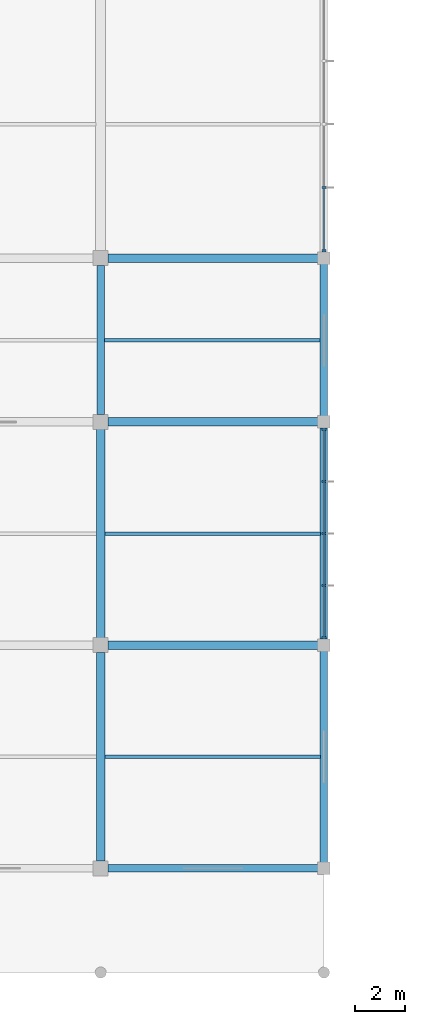
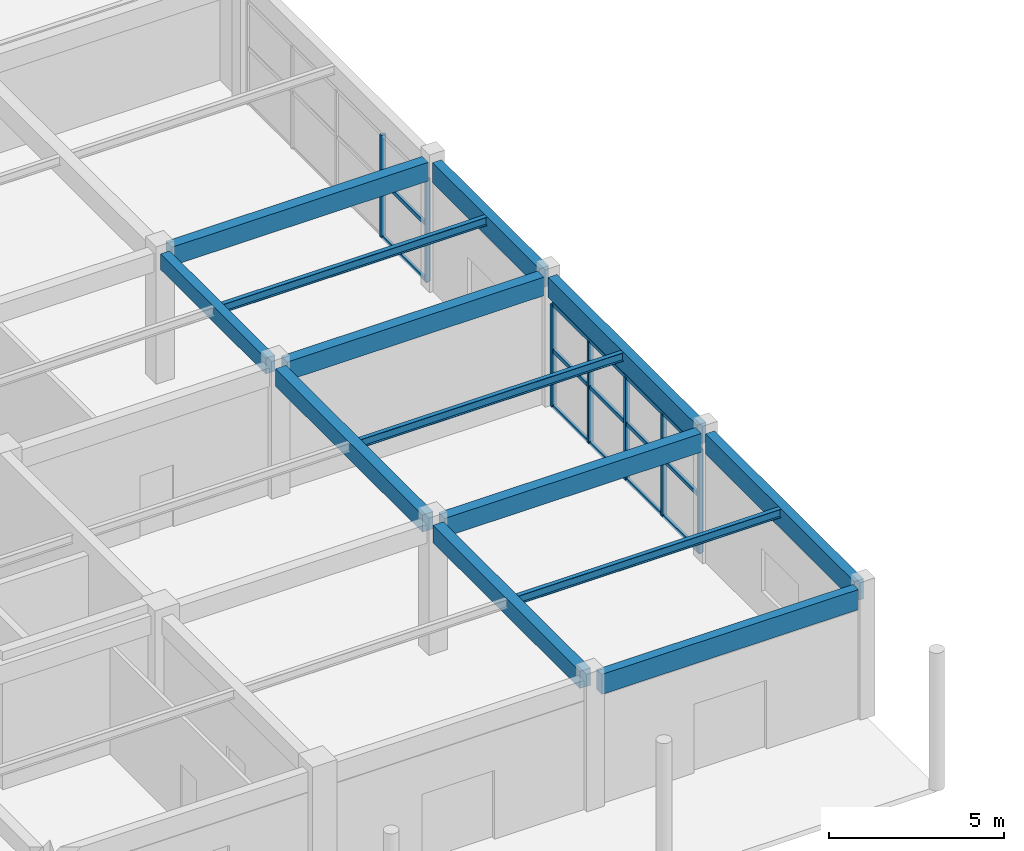
# One storey, part 17 of 82: 18 members, 13 beams, 2 elements without a shape of their own.
"""IFC4 building model written with IfcOpenShell, lengths in metres."""

from ifc_helpers import new_model, si_unit, direction, frame, origin, origin_2d, place, context, subcontext, project, spatial, rectangle, i_section, extrude, material, material_profile, profile_set, type_object, element, aggregate, save


model = new_model("IFC4")

# Units and contexts
model_context = context("Model", 3, precision=1e-05, world=origin(), true_north=direction((0.0, 1.0)))
body_context = subcontext(model_context, "Body", "Model", "MODEL_VIEW")
ifc_project = project(units=[si_unit("LENGTHUNIT", "METRE"), si_unit("AREAUNIT", "SQUARE_METRE"), si_unit("VOLUMEUNIT", "CUBIC_METRE"), si_unit("PLANEANGLEUNIT", "RADIAN"), si_unit("MASSUNIT", "GRAM", prefix="KILO")], contexts=[model_context])

# Site, building, storey
site_placement = place(None, origin())
site = spatial("IfcSite", under=ifc_project, at=site_placement, CompositionType="ELEMENT")
building_placement = place(site_placement, origin())
building = spatial("IfcBuilding", under=site, at=building_placement, Name="Suirenkawa Promenade Aquatics Centre", CompositionType="ELEMENT")
storey_placement = place(building_placement, origin())
storey = spatial("IfcBuildingStorey", under=building, at=storey_placement, Name="L00", CompositionType="ELEMENT", Elevation=0.0)

# Beams
ifc_material_1 = material(Name="Steel IS 2062 E350 (Grade 350)", Category="steel")
ifc_material_profile_1 = material_profile(ifc_material_1, i_section(OverallWidth=0.139892578125, OverallDepth=0.300048828125, WebThickness=0.008056640625, FlangeThickness=0.012939453125, at=origin_2d()), Name="ISMB 300", Category="steel")
ifc_profile_set_1 = profile_set([ifc_material_profile_1], Name="Steel IS 2062 E350 (Grade 350)")
beam_type_1 = type_object("IfcBeamType", Name="BT-JOIST-ISMB300", PredefinedType="JOIST", material=ifc_profile_set_1)
for number, where, z_axis, x_axis, name in (
    (1, (36.1689453125, 8.699951171875, 4.347900390625), (1.0, 0.0, 0.0), (0.0, 1.0, 0.0), "Secondary floor joist JS-02 BM-0374"),
    (2, (36.1689453125, 17.699951171875, 4.347900390625), (1.0, 0.0, 0.0), (0.0, 1.0, 0.0), "Secondary floor joist JS-02 BM-0375"),
):
    element("IfcBeam", number, at=place(storey_placement, frame(where, z_axis=z_axis, x_axis=x_axis)), inside=storey, type_object=beam_type_1, Name=name, PredefinedType="JOIST", context=body_context, shape_type="SweptSolid", body=[
        extrude(i_section(OverallWidth=0.139892578125, OverallDepth=0.300048828125, WebThickness=0.008056640625, FlangeThickness=0.012939453125, at=origin_2d()), origin(), (0.0, 0.0, 1.0), 8.68701171875),
    ])
beam_1_placement = place(storey_placement, frame((36.14404296875, 25.5, 4.347900390625), z_axis=(1.0, 0.0, 0.0), x_axis=(0.0, 1.0, 0.0)))
element("IfcBeam", 3, at=beam_1_placement, inside=storey, type_object=beam_type_1, Name="Secondary floor joist JS-02 BM-0376", PredefinedType="JOIST", context=body_context, shape_type="SweptSolid", body=[
    extrude(i_section(OverallWidth=0.139892578125, OverallDepth=0.300048828125, WebThickness=0.008056640625, FlangeThickness=0.012939453125, at=origin_2d()), origin(), (0.0, 0.0, 1.0), 8.7119140625),
])
ifc_material_2 = material(Name="Concrete M35", Category="concrete")
ifc_material_profile_2 = material_profile(ifc_material_2, rectangle(XDim=0.300048828125, YDim=0.550048828125, at=origin_2d()), Name="RC BM 300x550", Category="concrete")
ifc_profile_set_2 = profile_set([ifc_material_profile_2], Name="Concrete M35")
beam_type_2 = type_object("IfcBeamType", Name="BT-RC-300x550", PredefinedType="BEAM", material=ifc_profile_set_2)
beam_2_placement = place(storey_placement, frame((36.0, 22.493896484375, 4.22509765625), z_axis=(0.0, 1.0, 0.0), x_axis=(-1.0, 0.0, 0.0)))
element("IfcBeam", 4, at=beam_2_placement, inside=storey, type_object=beam_type_2, Name="Floor beam BM-01 BM-0310", PredefinedType="BEAM", context=body_context, shape_type="SweptSolid", body=[
    extrude(rectangle(XDim=0.300048828125, YDim=0.550048828125, at=origin_2d()), origin(), (0.0, 0.0, 1.0), 6.01220703125),
])
ifc_material_profile_3 = material_profile(ifc_material_2, rectangle(XDim=0.35009765625, YDim=0.60009765625, at=origin_2d()), Name="RC BM 350x600", Category="concrete")
ifc_profile_set_3 = profile_set([ifc_material_profile_3], Name="Concrete M35")
beam_type_3 = type_object("IfcBeamType", Name="BT-RC-350x600", PredefinedType="BEAM", material=ifc_profile_set_3)
for number, where, z_axis, x_axis, name in (
    (5, (36.0, 4.493896484375, 4.199951171875), (0.0, 1.0, 0.0), (-1.0, 0.0, 0.0), "Floor beam BM-02 BM-0308"),
    (6, (36.0, 13.493896484375, 4.199951171875), (0.0, 1.0, 0.0), (-1.0, 0.0, 0.0), "Floor beam BM-02 BM-0309"),
):
    element("IfcBeam", number, at=place(storey_placement, frame(where, z_axis=z_axis, x_axis=x_axis)), inside=storey, type_object=beam_type_3, Name=name, PredefinedType="BEAM", context=body_context, shape_type="SweptSolid", body=[
        extrude(rectangle(XDim=0.35009765625, YDim=0.60009765625, at=origin_2d()), origin(), (0.0, 0.0, 1.0), 8.412109375),
    ])
ifc_material_profile_4 = material_profile(ifc_material_2, rectangle(XDim=0.35009765625, YDim=0.64990234375, at=origin_2d()), Name="RC BM 350x650", Category="concrete")
ifc_profile_set_4 = profile_set([ifc_material_profile_4], Name="Concrete M35")
beam_type_4 = type_object("IfcBeamType", Name="BT-RC-350x650", PredefinedType="BEAM", material=ifc_profile_set_4)
for number, where, z_axis, x_axis, name in (
    (7, (36.2939453125, 13.199951171875, 4.175048828125), (1.0, 0.0, 0.0), (0.0, 1.0, 0.0), "Floor beam BM-03 BM-0208"),
    (8, (36.2939453125, 22.199951171875, 4.175048828125), (1.0, 0.0, 0.0), (0.0, 1.0, 0.0), "Floor beam BM-03 BM-0213"),
    (9, (36.2939453125, 28.800048828125, 4.175048828125), (1.0, 0.0, 0.0), (0.0, 1.0, 0.0), "Floor beam BM-03 BM-0218"),
):
    element("IfcBeam", number, at=place(storey_placement, frame(where, z_axis=z_axis, x_axis=x_axis)), inside=storey, type_object=beam_type_4, Name=name, PredefinedType="BEAM", context=body_context, shape_type="SweptSolid", body=[
        extrude(rectangle(XDim=0.35009765625, YDim=0.64990234375, at=origin_2d()), origin(), (0.0, 0.0, 1.0), 8.462158203125),
    ])
ifc_material_3 = material(Name="Concrete M40", Category="concrete")
ifc_material_profile_5 = material_profile(ifc_material_3, rectangle(XDim=0.300048828125, YDim=0.699951171875, at=origin_2d()), Name="RC SPANDREL 300x700", Category="concrete")
ifc_profile_set_5 = profile_set([ifc_material_profile_5], Name="Concrete M40")
beam_type_5 = type_object("IfcBeamType", Name="BT-SPANDREL-300x700", PredefinedType="SPANDREL", material=ifc_profile_set_5)
beam_3_placement = place(storey_placement, frame((36.2939453125, 4.199951171875, 4.14990234375), z_axis=(1.0, 0.0, 0.0), x_axis=(0.0, 1.0, 0.0)))
element("IfcBeam", 10, at=beam_3_placement, inside=storey, type_object=beam_type_5, Name="Floor beam SP-01 BM-0203", PredefinedType="SPANDREL", context=body_context, shape_type="SweptSolid", body=[
    extrude(rectangle(XDim=0.300048828125, YDim=0.699951171875, at=origin_2d()), origin(), (0.0, 0.0, 1.0), 8.462158203125),
])
for number, where, z_axis, x_axis, name in (
    (11, (45.0, 4.444091796875, 4.14990234375), (0.0, 1.0, 0.0), (-1.0, 0.0, 0.0), "Floor beam SP-01 BM-0320"),
    (12, (45.0, 13.444091796875, 4.14990234375), (0.0, 1.0, 0.0), (-1.0, 0.0, 0.0), "Floor beam SP-01 BM-0321"),
):
    element("IfcBeam", number, at=place(storey_placement, frame(where, z_axis=z_axis, x_axis=x_axis)), inside=storey, type_object=beam_type_5, Name=name, PredefinedType="SPANDREL", context=body_context, shape_type="SweptSolid", body=[
        extrude(rectangle(XDim=0.300048828125, YDim=0.699951171875, at=origin_2d()), origin(), (0.0, 0.0, 1.0), 8.511962890625),
    ])
beam_4_placement = place(storey_placement, frame((45.0, 22.444091796875, 4.14990234375), z_axis=(0.0, 1.0, 0.0), x_axis=(-1.0, 0.0, 0.0)))
element("IfcBeam", 13, at=beam_4_placement, inside=storey, type_object=beam_type_5, Name="Floor beam SP-01 BM-0322", PredefinedType="SPANDREL", context=body_context, shape_type="SweptSolid", body=[
    extrude(rectangle(XDim=0.300048828125, YDim=0.699951171875, at=origin_2d()), origin(), (0.0, 0.0, 1.0), 6.11181640625),
])

# Curtain wall, members
ifc_material_4 = material(Name="Anodised aluminium 6063-T6", Category="aluminium")
curtain_wall_type_1 = type_object("IfcCurtainWallType", Name="CWAT-V5EL00-43", PredefinedType="NOTDEFINED", material=ifc_material_4)
curtain_wall_1_placement = place(storey_placement, origin())
curtain_wall_1 = element("IfcCurtainWall", 14, at=curtain_wall_1_placement, inside=storey, type_object=curtain_wall_type_1, Name="Curtain wall CWA-43 CW-086", PredefinedType="NOTDEFINED")
ifc_material_profile_6 = material_profile(ifc_material_4, rectangle(XDim=0.090087890625, YDim=0.159912109375, at=origin_2d()), Name="ALU MULL 90x160", Category="aluminium")
ifc_profile_set_6 = profile_set([ifc_material_profile_6], Name="Anodised aluminium 6063-T6")
member_type_1 = type_object("IfcMemberType", Name="CWM-160x90", PredefinedType="MULLION", material=ifc_profile_set_6)
member_1_placement = place(storey_placement, frame((45.0, 21.90087890625, 0.0), z_axis=(0.0, 0.0, 1.0), x_axis=(0.0, -1.0, 0.0)))
member_1 = element("IfcMember", 15, at=member_1_placement, type_object=member_type_1, Name="Mullion ML-03 CWM-01691", PredefinedType="MULLION", context=body_context, shape_type="SweptSolid", body=[
    extrude(rectangle(XDim=0.090087890625, YDim=0.159912109375, at=origin_2d()), origin(), (0.0, 0.0, 1.0), 3.570068359375),
])
member_2_placement = place(storey_placement, frame((45.0, 19.800537109375, 0.0), z_axis=(0.0, 0.0, 1.0), x_axis=(0.0, -1.0, 0.0)))
member_2 = element("IfcMember", 16, at=member_2_placement, type_object=member_type_1, Name="Mullion ML-03 CWM-01692", PredefinedType="MULLION", context=body_context, shape_type="SweptSolid", body=[
    extrude(rectangle(XDim=0.090087890625, YDim=0.159912109375, at=origin_2d()), origin(), (0.0, 0.0, 1.0), 3.570068359375),
])
member_3_placement = place(storey_placement, frame((45.0, 17.699951171875, 0.0), z_axis=(0.0, 0.0, 1.0), x_axis=(0.0, -1.0, 0.0)))
member_3 = element("IfcMember", 17, at=member_3_placement, type_object=member_type_1, Name="Mullion ML-03 CWM-01693", PredefinedType="MULLION", context=body_context, shape_type="SweptSolid", body=[
    extrude(rectangle(XDim=0.090087890625, YDim=0.159912109375, at=origin_2d()), origin(), (0.0, 0.0, 1.0), 3.570068359375),
])
member_4_placement = place(storey_placement, frame((45.0, 15.599609375, 0.0), z_axis=(0.0, 0.0, 1.0), x_axis=(0.0, -1.0, 0.0)))
member_4 = element("IfcMember", 18, at=member_4_placement, type_object=member_type_1, Name="Mullion ML-03 CWM-01694", PredefinedType="MULLION", context=body_context, shape_type="SweptSolid", body=[
    extrude(rectangle(XDim=0.090087890625, YDim=0.159912109375, at=origin_2d()), origin(), (0.0, 0.0, 1.0), 3.570068359375),
])
member_5_placement = place(storey_placement, frame((45.0, 13.4990234375, 0.0), z_axis=(0.0, 0.0, 1.0), x_axis=(0.0, -1.0, 0.0)))
member_5 = element("IfcMember", 19, at=member_5_placement, type_object=member_type_1, Name="Mullion ML-03 CWM-01695", PredefinedType="MULLION", context=body_context, shape_type="SweptSolid", body=[
    extrude(rectangle(XDim=0.090087890625, YDim=0.159912109375, at=origin_2d()), origin(), (0.0, 0.0, 1.0), 3.570068359375),
])

curtain_wall_type_2 = type_object("IfcCurtainWallType", Name="CWAT-V5EL00-46", PredefinedType="NOTDEFINED", material=ifc_material_4)
curtain_wall_2_placement = place(storey_placement, origin())
curtain_wall_2 = element("IfcCurtainWall", 20, at=curtain_wall_2_placement, inside=storey, type_object=curtain_wall_type_2, Name="Curtain wall CWA-46 CW-089", PredefinedType="NOTDEFINED")
member_6_placement = place(storey_placement, frame((45.0, 31.6494140625, 0.0), z_axis=(0.0, 0.0, 1.0), x_axis=(0.0, -1.0, 0.0)))
member_6 = element("IfcMember", 21, at=member_6_placement, type_object=member_type_1, Name="Mullion ML-03 CWM-01755", PredefinedType="MULLION", context=body_context, shape_type="SweptSolid", body=[
    extrude(rectangle(XDim=0.090087890625, YDim=0.159912109375, at=origin_2d()), origin(), (0.0, 0.0, 1.0), 3.570068359375),
])
member_7_placement = place(storey_placement, frame((45.0, 29.09912109375, 0.0), z_axis=(0.0, 0.0, 1.0), x_axis=(0.0, -1.0, 0.0)))
member_7 = element("IfcMember", 22, at=member_7_placement, type_object=member_type_1, Name="Mullion ML-03 CWM-01756", PredefinedType="MULLION", context=body_context, shape_type="SweptSolid", body=[
    extrude(rectangle(XDim=0.090087890625, YDim=0.159912109375, at=origin_2d()), origin(), (0.0, 0.0, 1.0), 3.570068359375),
])

# Member
ifc_material_profile_7 = material_profile(ifc_material_4, rectangle(XDim=0.090087890625, YDim=0.1298828125, at=origin_2d()), Name="ALU TRAN 90x130", Category="aluminium")
ifc_profile_set_7 = profile_set([ifc_material_profile_7], Name="Anodised aluminium 6063-T6")
member_type_2 = type_object("IfcMemberType", Name="CWT-130x90", PredefinedType="USERDEFINED", material=ifc_profile_set_7)
member_8_placement = place(storey_placement, frame((45.0, 21.90087890625, 0.0), z_axis=(0.0, -1.0, 0.0), x_axis=(1.0, 0.0, 0.0)))
member_8 = element("IfcMember", 23, at=member_8_placement, type_object=member_type_2, Name="Transom TR-03 CWT-01696", ObjectType="TRANSOM", PredefinedType="USERDEFINED", context=body_context, shape_type="SweptSolid", body=[
    extrude(rectangle(XDim=0.090087890625, YDim=0.1298828125, at=origin_2d()), origin(), (0.0, 0.0, 1.0), 2.100341796875),
])

member_9_placement = place(storey_placement, frame((45.0, 19.800537109375, 0.0), z_axis=(0.0, -1.0, 0.0), x_axis=(1.0, 0.0, 0.0)))
member_9 = element("IfcMember", 24, at=member_9_placement, type_object=member_type_2, Name="Transom TR-03 CWT-01697", ObjectType="TRANSOM", PredefinedType="USERDEFINED", context=body_context, shape_type="SweptSolid", body=[
    extrude(rectangle(XDim=0.090087890625, YDim=0.1298828125, at=origin_2d()), origin(), (0.0, 0.0, 1.0), 2.1005859375),
])

member_10_placement = place(storey_placement, frame((45.0, 17.699951171875, 0.0), z_axis=(0.0, -1.0, 0.0), x_axis=(1.0, 0.0, 0.0)))
member_10 = element("IfcMember", 25, at=member_10_placement, type_object=member_type_2, Name="Transom TR-03 CWT-01698", ObjectType="TRANSOM", PredefinedType="USERDEFINED", context=body_context, shape_type="SweptSolid", body=[
    extrude(rectangle(XDim=0.090087890625, YDim=0.1298828125, at=origin_2d()), origin(), (0.0, 0.0, 1.0), 2.100341796875),
])

member_11_placement = place(storey_placement, frame((45.0, 15.599609375, 0.0), z_axis=(0.0, -1.0, 0.0), x_axis=(1.0, 0.0, 0.0)))
member_11 = element("IfcMember", 26, at=member_11_placement, type_object=member_type_2, Name="Transom TR-03 CWT-01699", ObjectType="TRANSOM", PredefinedType="USERDEFINED", context=body_context, shape_type="SweptSolid", body=[
    extrude(rectangle(XDim=0.090087890625, YDim=0.1298828125, at=origin_2d()), origin(), (0.0, 0.0, 1.0), 2.1005859375),
])

member_12_placement = place(storey_placement, frame((45.0, 21.90087890625, 1.949951171875), z_axis=(0.0, -1.0, 0.0), x_axis=(1.0, 0.0, 0.0)))
member_12 = element("IfcMember", 27, at=member_12_placement, type_object=member_type_2, Name="Transom TR-03 CWT-01700", ObjectType="TRANSOM", PredefinedType="USERDEFINED", context=body_context, shape_type="SweptSolid", body=[
    extrude(rectangle(XDim=0.090087890625, YDim=0.1298828125, at=origin_2d()), origin(), (0.0, 0.0, 1.0), 2.100341796875),
])

member_13_placement = place(storey_placement, frame((45.0, 19.800537109375, 1.949951171875), z_axis=(0.0, -1.0, 0.0), x_axis=(1.0, 0.0, 0.0)))
member_13 = element("IfcMember", 28, at=member_13_placement, type_object=member_type_2, Name="Transom TR-03 CWT-01701", ObjectType="TRANSOM", PredefinedType="USERDEFINED", context=body_context, shape_type="SweptSolid", body=[
    extrude(rectangle(XDim=0.090087890625, YDim=0.1298828125, at=origin_2d()), origin(), (0.0, 0.0, 1.0), 2.1005859375),
])

member_14_placement = place(storey_placement, frame((45.0, 17.699951171875, 1.949951171875), z_axis=(0.0, -1.0, 0.0), x_axis=(1.0, 0.0, 0.0)))
member_14 = element("IfcMember", 29, at=member_14_placement, type_object=member_type_2, Name="Transom TR-03 CWT-01702", ObjectType="TRANSOM", PredefinedType="USERDEFINED", context=body_context, shape_type="SweptSolid", body=[
    extrude(rectangle(XDim=0.090087890625, YDim=0.1298828125, at=origin_2d()), origin(), (0.0, 0.0, 1.0), 2.100341796875),
])

member_15_placement = place(storey_placement, frame((45.0, 15.599609375, 1.949951171875), z_axis=(0.0, -1.0, 0.0), x_axis=(1.0, 0.0, 0.0)))
member_15 = element("IfcMember", 30, at=member_15_placement, type_object=member_type_2, Name="Transom TR-03 CWT-01703", ObjectType="TRANSOM", PredefinedType="USERDEFINED", context=body_context, shape_type="SweptSolid", body=[
    extrude(rectangle(XDim=0.090087890625, YDim=0.1298828125, at=origin_2d()), origin(), (0.0, 0.0, 1.0), 2.1005859375),
])

member_16_placement = place(storey_placement, frame((45.0, 21.90087890625, 3.570068359375), z_axis=(0.0, -1.0, 0.0), x_axis=(1.0, 0.0, 0.0)))
member_16 = element("IfcMember", 31, at=member_16_placement, type_object=member_type_2, Name="Roofline transom TR-03 CWT-01704", ObjectType="TRANSOM", PredefinedType="USERDEFINED", context=body_context, shape_type="SweptSolid", body=[
    extrude(rectangle(XDim=0.090087890625, YDim=0.1298828125, at=origin_2d()), origin(), (0.0, 0.0, 1.0), 8.40185546875),
])

aggregate(curtain_wall_1, [member_1, member_2, member_3, member_4, member_5, member_8, member_9, member_10, member_11, member_12, member_13, member_14, member_15, member_16])

member_17_placement = place(storey_placement, frame((45.0, 31.6494140625, 0.0), z_axis=(0.0, -1.0, 0.0), x_axis=(1.0, 0.0, 0.0)))
member_17 = element("IfcMember", 32, at=member_17_placement, type_object=member_type_2, Name="Transom TR-03 CWT-01760", ObjectType="TRANSOM", PredefinedType="USERDEFINED", context=body_context, shape_type="SweptSolid", body=[
    extrude(rectangle(XDim=0.090087890625, YDim=0.1298828125, at=origin_2d()), origin(), (0.0, 0.0, 1.0), 2.55029296875),
])

member_18_placement = place(storey_placement, frame((45.0, 31.6494140625, 1.949951171875), z_axis=(0.0, -1.0, 0.0), x_axis=(1.0, 0.0, 0.0)))
member_18 = element("IfcMember", 33, at=member_18_placement, type_object=member_type_2, Name="Transom TR-03 CWT-01764", ObjectType="TRANSOM", PredefinedType="USERDEFINED", context=body_context, shape_type="SweptSolid", body=[
    extrude(rectangle(XDim=0.090087890625, YDim=0.1298828125, at=origin_2d()), origin(), (0.0, 0.0, 1.0), 2.55029296875),
])

aggregate(curtain_wall_2, [member_6, member_7, member_17, member_18])

save(model, "model.ifc")
